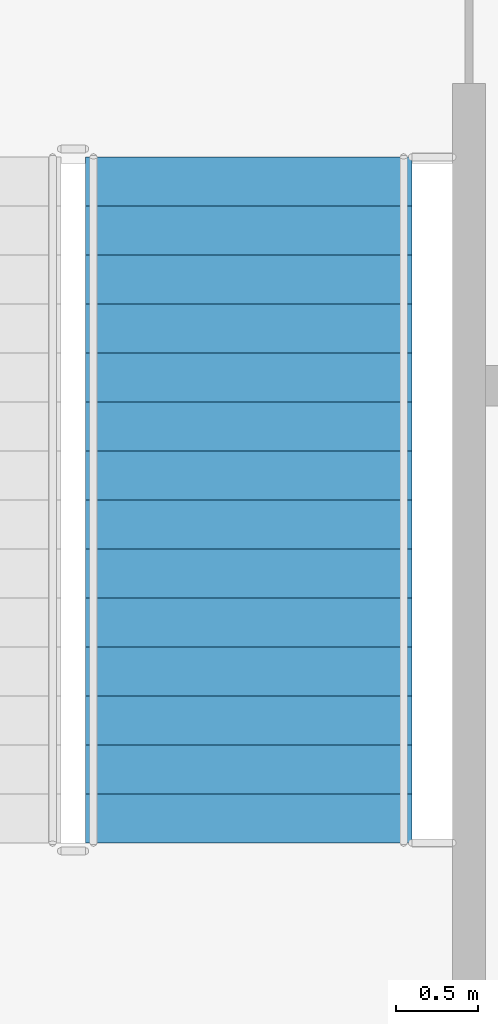
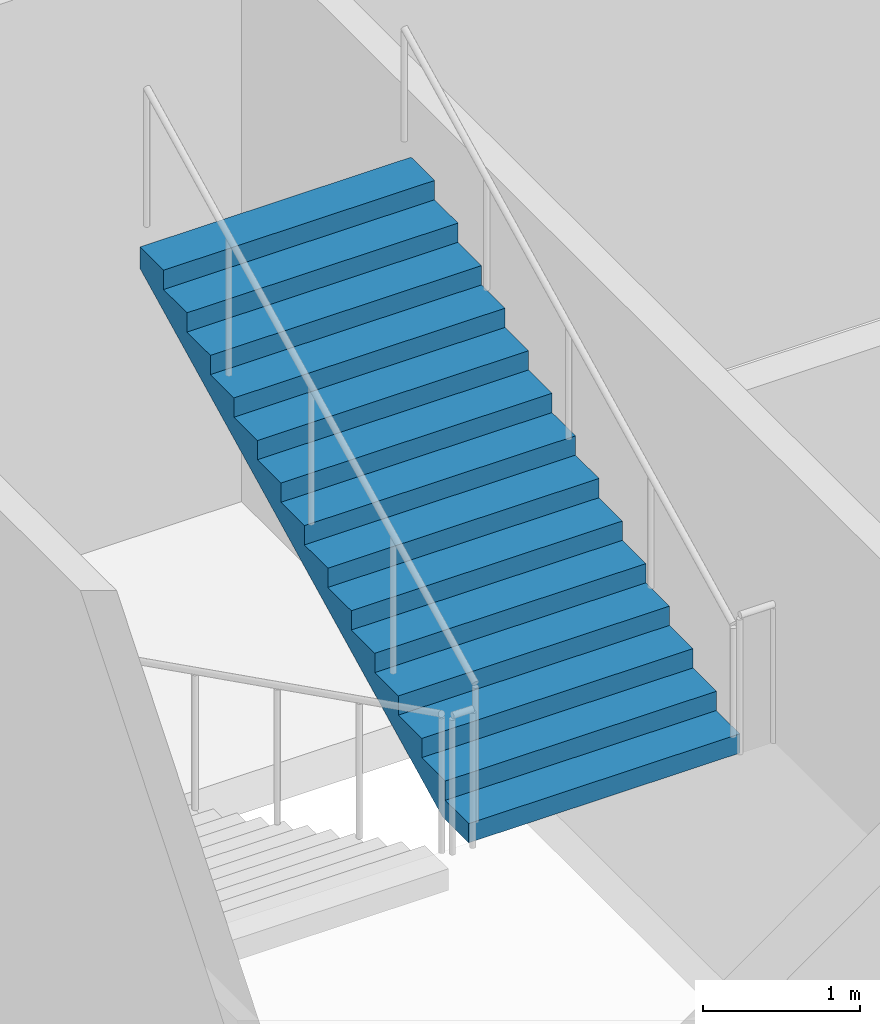
# One storey, part 87 of 95: 1 stair flight, 1 element without a shape of its own.
"""IFC4 building model written with IfcOpenShell, lengths in metres."""

from ifc_helpers import new_model, si_unit, direction, frame, origin, place, context, subcontext, project, spatial, faceted_brep, material, type_object, element, aggregate, save


model = new_model("IFC4")

# Units and contexts
model_context = context("Model", 3, precision=1e-05, world=origin(), true_north=direction((0.0, 1.0)))
body_context = subcontext(model_context, "Body", "Model", "MODEL_VIEW")
ifc_project = project(units=[si_unit("LENGTHUNIT", "METRE"), si_unit("AREAUNIT", "SQUARE_METRE"), si_unit("VOLUMEUNIT", "CUBIC_METRE"), si_unit("PLANEANGLEUNIT", "RADIAN"), si_unit("MASSUNIT", "GRAM", prefix="KILO")], contexts=[model_context])

# Site, building, storey
site_placement = place(None, origin())
site = spatial("IfcSite", under=ifc_project, at=site_placement, CompositionType="ELEMENT")
building_placement = place(site_placement, origin())
building = spatial("IfcBuilding", under=site, at=building_placement, Name="Kiln Court Media Centre", CompositionType="ELEMENT")
storey_placement = place(building_placement, frame((0.0, 0.0, 24.60009765625)))
storey = spatial("IfcBuildingStorey", under=building, at=storey_placement, Name="L05", CompositionType="ELEMENT", Elevation=24.60009765625)

# Stair, stair flight
ifc_material_1 = material(Name="Concrete C40/50", Category="concrete")
stair_type = type_object("IfcStairType", Name="Concrete C40/50 dog-leg stair 2000 wide, 150 riser", PredefinedType="HALF_TURN_STAIR", material=ifc_material_1)
stair_placement = place(storey_placement, origin())
stair = element("IfcStair", 1, at=stair_placement, inside=storey, type_object=stair_type, Name="ST-07 L05", PredefinedType="HALF_TURN_STAIR")
ifc_material_2 = material(Name="Concrete C40/50", Category="concrete")
stair_flight_type = type_object("IfcStairFlightType", Name="Concrete C40/50 stair flight 2000 wide, 150 riser, 300 going", PredefinedType="STRAIGHT", material=ifc_material_2)
stair_flight_placement = place(storey_placement, frame((3.35009765625, 60.199951171875, 2.25), z_axis=(0.0, 0.0, 1.0), x_axis=(0.0, 1.0, 0.0)))
stair_flight = element("IfcStairFlight", 2, at=stair_flight_placement, type_object=stair_flight_type, Name="L05-ST-5003 flight 5007", NumberOfRisers=15, NumberOfTreads=14, PredefinedType="STRAIGHT", RiserHeight=0.15, TreadLength=0.3, context=body_context, shape_type="Brep", body=[
    faceted_brep([(0.335205078125, -1.0, 0.0), (4.199951171875, -1.0, 1.932373046875), (4.199951171875, -1.0, 2.10009765625), (3.89990234375, -1.0, 2.10009765625), (3.89990234375, -1.0, 1.949951171875), (3.60009765625, -1.0, 1.949951171875), (3.60009765625, -1.0, 1.800048828125), (3.300048828125, -1.0, 1.800048828125), (3.300048828125, -1.0, 1.64990234375), (3.0, -1.0, 1.64990234375), (3.0, -1.0, 1.5), (2.699951171875, -1.0, 1.5), (2.699951171875, -1.0, 1.35009765625), (2.39990234375, -1.0, 1.35009765625), (2.39990234375, -1.0, 1.199951171875), (2.10009765625, -1.0, 1.199951171875), (2.10009765625, -1.0, 1.050048828125), (1.800048828125, -1.0, 1.050048828125), (1.800048828125, -1.0, 0.89990234375), (1.5, -1.0, 0.89990234375), (1.5, -1.0, 0.75), (1.199951171875, -1.0, 0.75), (1.199951171875, -1.0, 0.60009765625), (0.89990234375, -1.0, 0.60009765625), (0.89990234375, -1.0, 0.449951171875), (0.60009765625, -1.0, 0.449951171875), (0.60009765625, -1.0, 0.300048828125), (0.300048828125, -1.0, 0.300048828125), (0.300048828125, -1.0, 0.14990234375), (0.0, -1.0, 0.14990234375), (0.0, -1.0, 0.0), (0.0, 1.0, 0.0), (0.0, 1.0, 0.14990234375), (0.300048828125, 1.0, 0.14990234375), (0.300048828125, 1.0, 0.300048828125), (0.60009765625, 1.0, 0.300048828125), (0.60009765625, 1.0, 0.449951171875), (0.89990234375, 1.0, 0.449951171875), (0.89990234375, 1.0, 0.60009765625), (1.199951171875, 1.0, 0.60009765625), (1.199951171875, 1.0, 0.75), (1.5, 1.0, 0.75), (1.5, 1.0, 0.89990234375), (1.800048828125, 1.0, 0.89990234375), (1.800048828125, 1.0, 1.050048828125), (2.10009765625, 1.0, 1.050048828125), (2.10009765625, 1.0, 1.199951171875), (2.39990234375, 1.0, 1.199951171875), (2.39990234375, 1.0, 1.35009765625), (2.699951171875, 1.0, 1.35009765625), (2.699951171875, 1.0, 1.5), (3.0, 1.0, 1.5), (3.0, 1.0, 1.64990234375), (3.300048828125, 1.0, 1.64990234375), (3.300048828125, 1.0, 1.800048828125), (3.60009765625, 1.0, 1.800048828125), (3.60009765625, 1.0, 1.949951171875), (3.89990234375, 1.0, 1.949951171875), (3.89990234375, 1.0, 2.10009765625), (4.199951171875, 1.0, 2.10009765625), (4.199951171875, 1.0, 1.932373046875), (0.335205078125, 1.0, 0.0), (4.199951171875, 0.10009765625, 1.932373046875), (0.335205078125, 0.10009765625, 0.0), (4.199951171875, 0.080078125, 1.932373046875), (0.335205078125, 0.080078125, 0.0), (4.199951171875, 0.06005859375, 1.932373046875), (0.335205078125, 0.06005859375, 0.0), (4.199951171875, 0.0400390625, 1.932373046875), (0.335205078125, 0.0400390625, 0.0), (4.199951171875, 0.02001953125, 1.932373046875), (0.335205078125, 0.02001953125, 0.0), (4.199951171875, 0.0, 1.932373046875), (0.335205078125, 0.0, 0.0), (4.199951171875, -0.02001953125, 1.932373046875), (0.335205078125, -0.02001953125, 0.0), (4.199951171875, -0.0400390625, 1.932373046875), (0.335205078125, -0.0400390625, 0.0), (4.199951171875, -0.06005859375, 1.932373046875), (0.335205078125, -0.06005859375, 0.0), (4.199951171875, -0.080078125, 1.932373046875), (0.335205078125, -0.080078125, 0.0), (4.199951171875, -0.10009765625, 1.932373046875), (0.335205078125, -0.10009765625, 0.0), (4.199951171875, 0.10009765625, 2.10009765625), (4.199951171875, 0.080078125, 2.10009765625), (4.199951171875, 0.06005859375, 2.10009765625), (4.199951171875, 0.0400390625, 2.10009765625), (4.199951171875, 0.02001953125, 2.10009765625), (4.199951171875, 0.0, 2.10009765625), (4.199951171875, -0.02001953125, 2.10009765625), (4.199951171875, -0.0400390625, 2.10009765625), (4.199951171875, -0.06005859375, 2.10009765625), (4.199951171875, -0.080078125, 2.10009765625), (4.199951171875, -0.10009765625, 2.10009765625), (3.89990234375, 0.10009765625, 2.10009765625), (3.89990234375, 0.080078125, 2.10009765625), (3.89990234375, 0.06005859375, 2.10009765625), (3.89990234375, 0.0400390625, 2.10009765625), (3.89990234375, 0.02001953125, 2.10009765625), (3.89990234375, 0.0, 2.10009765625), (3.89990234375, -0.02001953125, 2.10009765625), (3.89990234375, -0.0400390625, 2.10009765625), (3.89990234375, -0.06005859375, 2.10009765625), (3.89990234375, -0.080078125, 2.10009765625), (3.89990234375, -0.10009765625, 2.10009765625), (3.89990234375, 0.10009765625, 1.949951171875), (3.89990234375, 0.080078125, 1.949951171875), (3.89990234375, 0.06005859375, 1.949951171875), (3.89990234375, 0.0400390625, 1.949951171875), (3.89990234375, 0.02001953125, 1.949951171875), (3.89990234375, 0.0, 1.949951171875), (3.89990234375, -0.02001953125, 1.949951171875), (3.89990234375, -0.0400390625, 1.949951171875), (3.89990234375, -0.06005859375, 1.949951171875), (3.89990234375, -0.080078125, 1.949951171875), (3.89990234375, -0.10009765625, 1.949951171875), (3.60009765625, 0.10009765625, 1.949951171875), (3.60009765625, 0.080078125, 1.949951171875), (3.60009765625, 0.06005859375, 1.949951171875), (3.60009765625, 0.0400390625, 1.949951171875), (3.60009765625, 0.02001953125, 1.949951171875), (3.60009765625, 0.0, 1.949951171875), (3.60009765625, -0.02001953125, 1.949951171875), (3.60009765625, -0.0400390625, 1.949951171875), (3.60009765625, -0.06005859375, 1.949951171875), (3.60009765625, -0.080078125, 1.949951171875), (3.60009765625, -0.10009765625, 1.949951171875), (3.60009765625, 0.10009765625, 1.800048828125), (3.60009765625, 0.080078125, 1.800048828125), (3.60009765625, 0.06005859375, 1.800048828125), (3.60009765625, 0.0400390625, 1.800048828125), (3.60009765625, 0.02001953125, 1.800048828125), (3.60009765625, 0.0, 1.800048828125), (3.60009765625, -0.02001953125, 1.800048828125), (3.60009765625, -0.0400390625, 1.800048828125), (3.60009765625, -0.06005859375, 1.800048828125), (3.60009765625, -0.080078125, 1.800048828125), (3.60009765625, -0.10009765625, 1.800048828125), (3.300048828125, 0.10009765625, 1.800048828125), (3.300048828125, 0.080078125, 1.800048828125), (3.300048828125, 0.06005859375, 1.800048828125), (3.300048828125, 0.0400390625, 1.800048828125), (3.300048828125, 0.02001953125, 1.800048828125), (3.300048828125, 0.0, 1.800048828125), (3.300048828125, -0.02001953125, 1.800048828125), (3.300048828125, -0.0400390625, 1.800048828125), (3.300048828125, -0.06005859375, 1.800048828125), (3.300048828125, -0.080078125, 1.800048828125), (3.300048828125, -0.10009765625, 1.800048828125), (3.300048828125, 0.10009765625, 1.64990234375), (3.300048828125, 0.080078125, 1.64990234375), (3.300048828125, 0.06005859375, 1.64990234375), (3.300048828125, 0.0400390625, 1.64990234375), (3.300048828125, 0.02001953125, 1.64990234375), (3.300048828125, 0.0, 1.64990234375), (3.300048828125, -0.02001953125, 1.64990234375), (3.300048828125, -0.0400390625, 1.64990234375), (3.300048828125, -0.06005859375, 1.64990234375), (3.300048828125, -0.080078125, 1.64990234375), (3.300048828125, -0.10009765625, 1.64990234375), (3.0, 0.10009765625, 1.64990234375), (3.0, 0.080078125, 1.64990234375), (3.0, 0.06005859375, 1.64990234375), (3.0, 0.0400390625, 1.64990234375), (3.0, 0.02001953125, 1.64990234375), (3.0, 0.0, 1.64990234375), (3.0, -0.02001953125, 1.64990234375), (3.0, -0.0400390625, 1.64990234375), (3.0, -0.06005859375, 1.64990234375), (3.0, -0.080078125, 1.64990234375), (3.0, -0.10009765625, 1.64990234375), (3.0, 0.10009765625, 1.5), (3.0, 0.080078125, 1.5), (3.0, 0.06005859375, 1.5), (3.0, 0.0400390625, 1.5), (3.0, 0.02001953125, 1.5), (3.0, 0.0, 1.5), (3.0, -0.02001953125, 1.5), (3.0, -0.0400390625, 1.5), (3.0, -0.06005859375, 1.5), (3.0, -0.080078125, 1.5), (3.0, -0.10009765625, 1.5), (2.699951171875, 0.10009765625, 1.5), (2.699951171875, 0.080078125, 1.5), (2.699951171875, 0.06005859375, 1.5), (2.699951171875, 0.0400390625, 1.5), (2.699951171875, 0.02001953125, 1.5), (2.699951171875, 0.0, 1.5), (2.699951171875, -0.02001953125, 1.5), (2.699951171875, -0.0400390625, 1.5), (2.699951171875, -0.06005859375, 1.5), (2.699951171875, -0.080078125, 1.5), (2.699951171875, -0.10009765625, 1.5), (2.699951171875, 0.10009765625, 1.35009765625), (2.699951171875, 0.080078125, 1.35009765625), (2.699951171875, 0.06005859375, 1.35009765625), (2.699951171875, 0.0400390625, 1.35009765625), (2.699951171875, 0.02001953125, 1.35009765625), (2.699951171875, 0.0, 1.35009765625), (2.699951171875, -0.02001953125, 1.35009765625), (2.699951171875, -0.0400390625, 1.35009765625), (2.699951171875, -0.06005859375, 1.35009765625), (2.699951171875, -0.080078125, 1.35009765625), (2.699951171875, -0.10009765625, 1.35009765625), (2.39990234375, 0.10009765625, 1.35009765625), (2.39990234375, 0.080078125, 1.35009765625), (2.39990234375, 0.06005859375, 1.35009765625), (2.39990234375, 0.0400390625, 1.35009765625), (2.39990234375, 0.02001953125, 1.35009765625), (2.39990234375, 0.0, 1.35009765625), (2.39990234375, -0.02001953125, 1.35009765625), (2.39990234375, -0.0400390625, 1.35009765625), (2.39990234375, -0.06005859375, 1.35009765625), (2.39990234375, -0.080078125, 1.35009765625), (2.39990234375, -0.10009765625, 1.35009765625), (2.39990234375, 0.10009765625, 1.199951171875), (2.39990234375, 0.080078125, 1.199951171875), (2.39990234375, 0.06005859375, 1.199951171875), (2.39990234375, 0.0400390625, 1.199951171875), (2.39990234375, 0.02001953125, 1.199951171875), (2.39990234375, 0.0, 1.199951171875), (2.39990234375, -0.02001953125, 1.199951171875), (2.39990234375, -0.0400390625, 1.199951171875), (2.39990234375, -0.06005859375, 1.199951171875), (2.39990234375, -0.080078125, 1.199951171875), (2.39990234375, -0.10009765625, 1.199951171875), (2.10009765625, 0.10009765625, 1.199951171875), (2.10009765625, 0.080078125, 1.199951171875), (2.10009765625, 0.06005859375, 1.199951171875), (2.10009765625, 0.0400390625, 1.199951171875), (2.10009765625, 0.02001953125, 1.199951171875), (2.10009765625, 0.0, 1.199951171875), (2.10009765625, -0.02001953125, 1.199951171875), (2.10009765625, -0.0400390625, 1.199951171875), (2.10009765625, -0.06005859375, 1.199951171875), (2.10009765625, -0.080078125, 1.199951171875), (2.10009765625, -0.10009765625, 1.199951171875), (2.10009765625, 0.10009765625, 1.050048828125), (2.10009765625, 0.080078125, 1.050048828125), (2.10009765625, 0.06005859375, 1.050048828125), (2.10009765625, 0.0400390625, 1.050048828125), (2.10009765625, 0.02001953125, 1.050048828125), (2.10009765625, 0.0, 1.050048828125), (2.10009765625, -0.02001953125, 1.050048828125), (2.10009765625, -0.0400390625, 1.050048828125), (2.10009765625, -0.06005859375, 1.050048828125), (2.10009765625, -0.080078125, 1.050048828125), (2.10009765625, -0.10009765625, 1.050048828125), (1.800048828125, 0.10009765625, 1.050048828125), (1.800048828125, 0.080078125, 1.050048828125), (1.800048828125, 0.06005859375, 1.050048828125), (1.800048828125, 0.0400390625, 1.050048828125), (1.800048828125, 0.02001953125, 1.050048828125), (1.800048828125, 0.0, 1.050048828125), (1.800048828125, -0.02001953125, 1.050048828125), (1.800048828125, -0.0400390625, 1.050048828125), (1.800048828125, -0.06005859375, 1.050048828125), (1.800048828125, -0.080078125, 1.050048828125), (1.800048828125, -0.10009765625, 1.050048828125), (1.800048828125, 0.10009765625, 0.89990234375), (1.800048828125, 0.080078125, 0.89990234375), (1.800048828125, 0.06005859375, 0.89990234375), (1.800048828125, 0.0400390625, 0.89990234375), (1.800048828125, 0.02001953125, 0.89990234375), (1.800048828125, 0.0, 0.89990234375), (1.800048828125, -0.02001953125, 0.89990234375), (1.800048828125, -0.0400390625, 0.89990234375), (1.800048828125, -0.06005859375, 0.89990234375), (1.800048828125, -0.080078125, 0.89990234375), (1.800048828125, -0.10009765625, 0.89990234375), (1.5, 0.10009765625, 0.89990234375), (1.5, 0.080078125, 0.89990234375), (1.5, 0.06005859375, 0.89990234375), (1.5, 0.0400390625, 0.89990234375), (1.5, 0.02001953125, 0.89990234375), (1.5, 0.0, 0.89990234375), (1.5, -0.02001953125, 0.89990234375), (1.5, -0.0400390625, 0.89990234375), (1.5, -0.06005859375, 0.89990234375), (1.5, -0.080078125, 0.89990234375), (1.5, -0.10009765625, 0.89990234375), (1.5, 0.10009765625, 0.75), (1.5, 0.080078125, 0.75), (1.5, 0.06005859375, 0.75), (1.5, 0.0400390625, 0.75), (1.5, 0.02001953125, 0.75), (1.5, 0.0, 0.75), (1.5, -0.02001953125, 0.75), (1.5, -0.0400390625, 0.75), (1.5, -0.06005859375, 0.75), (1.5, -0.080078125, 0.75), (1.5, -0.10009765625, 0.75), (1.199951171875, 0.10009765625, 0.75), (1.199951171875, 0.080078125, 0.75), (1.199951171875, 0.06005859375, 0.75), (1.199951171875, 0.0400390625, 0.75), (1.199951171875, 0.02001953125, 0.75), (1.199951171875, 0.0, 0.75), (1.199951171875, -0.02001953125, 0.75), (1.199951171875, -0.0400390625, 0.75), (1.199951171875, -0.06005859375, 0.75), (1.199951171875, -0.080078125, 0.75), (1.199951171875, -0.10009765625, 0.75), (1.199951171875, 0.10009765625, 0.60009765625), (1.199951171875, 0.080078125, 0.60009765625), (1.199951171875, 0.06005859375, 0.60009765625), (1.199951171875, 0.0400390625, 0.60009765625), (1.199951171875, 0.02001953125, 0.60009765625), (1.199951171875, 0.0, 0.60009765625), (1.199951171875, -0.02001953125, 0.60009765625), (1.199951171875, -0.0400390625, 0.60009765625), (1.199951171875, -0.06005859375, 0.60009765625), (1.199951171875, -0.080078125, 0.60009765625), (1.199951171875, -0.10009765625, 0.60009765625), (0.89990234375, 0.10009765625, 0.60009765625), (0.89990234375, 0.080078125, 0.60009765625), (0.89990234375, 0.06005859375, 0.60009765625), (0.89990234375, 0.0400390625, 0.60009765625), (0.89990234375, 0.02001953125, 0.60009765625), (0.89990234375, 0.0, 0.60009765625), (0.89990234375, -0.02001953125, 0.60009765625), (0.89990234375, -0.0400390625, 0.60009765625), (0.89990234375, -0.06005859375, 0.60009765625), (0.89990234375, -0.080078125, 0.60009765625), (0.89990234375, -0.10009765625, 0.60009765625), (0.89990234375, 0.10009765625, 0.449951171875), (0.89990234375, 0.080078125, 0.449951171875), (0.89990234375, 0.06005859375, 0.449951171875), (0.89990234375, 0.0400390625, 0.449951171875), (0.89990234375, 0.02001953125, 0.449951171875), (0.89990234375, 0.0, 0.449951171875), (0.89990234375, -0.02001953125, 0.449951171875), (0.89990234375, -0.0400390625, 0.449951171875), (0.89990234375, -0.06005859375, 0.449951171875), (0.89990234375, -0.080078125, 0.449951171875), (0.89990234375, -0.10009765625, 0.449951171875), (0.60009765625, 0.10009765625, 0.449951171875), (0.60009765625, 0.080078125, 0.449951171875), (0.60009765625, 0.06005859375, 0.449951171875), (0.60009765625, 0.0400390625, 0.449951171875), (0.60009765625, 0.02001953125, 0.449951171875), (0.60009765625, 0.0, 0.449951171875), (0.60009765625, -0.02001953125, 0.449951171875), (0.60009765625, -0.0400390625, 0.449951171875), (0.60009765625, -0.06005859375, 0.449951171875), (0.60009765625, -0.080078125, 0.449951171875), (0.60009765625, -0.10009765625, 0.449951171875), (0.60009765625, 0.10009765625, 0.300048828125), (0.60009765625, 0.080078125, 0.300048828125), (0.60009765625, 0.06005859375, 0.300048828125), (0.60009765625, 0.0400390625, 0.300048828125), (0.60009765625, 0.02001953125, 0.300048828125), (0.60009765625, 0.0, 0.300048828125), (0.60009765625, -0.02001953125, 0.300048828125), (0.60009765625, -0.0400390625, 0.300048828125), (0.60009765625, -0.06005859375, 0.300048828125), (0.60009765625, -0.080078125, 0.300048828125), (0.60009765625, -0.10009765625, 0.300048828125), (0.300048828125, 0.10009765625, 0.300048828125), (0.300048828125, 0.080078125, 0.300048828125), (0.300048828125, 0.06005859375, 0.300048828125), (0.300048828125, 0.0400390625, 0.300048828125), (0.300048828125, 0.02001953125, 0.300048828125), (0.300048828125, 0.0, 0.300048828125), (0.300048828125, -0.02001953125, 0.300048828125), (0.300048828125, -0.0400390625, 0.300048828125), (0.300048828125, -0.06005859375, 0.300048828125), (0.300048828125, -0.080078125, 0.300048828125), (0.300048828125, -0.10009765625, 0.300048828125), (0.300048828125, 0.10009765625, 0.14990234375), (0.300048828125, 0.080078125, 0.14990234375), (0.300048828125, 0.06005859375, 0.14990234375), (0.300048828125, 0.0400390625, 0.14990234375), (0.300048828125, 0.02001953125, 0.14990234375), (0.300048828125, 0.0, 0.14990234375), (0.300048828125, -0.02001953125, 0.14990234375), (0.300048828125, -0.0400390625, 0.14990234375), (0.300048828125, -0.06005859375, 0.14990234375), (0.300048828125, -0.080078125, 0.14990234375), (0.300048828125, -0.10009765625, 0.14990234375), (0.0, 0.10009765625, 0.14990234375), (0.0, 0.080078125, 0.14990234375), (0.0, 0.06005859375, 0.14990234375), (0.0, 0.0400390625, 0.14990234375), (0.0, 0.02001953125, 0.14990234375), (0.0, 0.0, 0.14990234375), (0.0, -0.02001953125, 0.14990234375), (0.0, -0.0400390625, 0.14990234375), (0.0, -0.06005859375, 0.14990234375), (0.0, -0.080078125, 0.14990234375), (0.0, -0.10009765625, 0.14990234375), (0.0, 0.10009765625, 0.0), (0.0, 0.080078125, 0.0), (0.0, 0.06005859375, 0.0), (0.0, 0.0400390625, 0.0), (0.0, 0.02001953125, 0.0), (0.0, 0.0, 0.0), (0.0, -0.02001953125, 0.0), (0.0, -0.0400390625, 0.0), (0.0, -0.06005859375, 0.0), (0.0, -0.080078125, 0.0), (0.0, -0.10009765625, 0.0)], [[[0, 1, 2, 3, 4, 5, 6, 7, 8, 9, 10, 11, 12, 13, 14, 15, 16, 17, 18, 19, 20, 21, 22, 23, 24, 25, 26, 27, 28, 29, 30]], [[31, 32, 33, 34, 35, 36, 37, 38, 39, 40, 41, 42, 43, 44, 45, 46, 47, 48, 49, 50, 51, 52, 53, 54, 55, 56, 57, 58, 59, 60, 61]], [[61, 60, 62, 63]], [[63, 62, 64, 65]], [[65, 64, 66, 67]], [[67, 66, 68, 69]], [[69, 68, 70, 71]], [[71, 70, 72, 73]], [[73, 72, 74, 75]], [[75, 74, 76, 77]], [[77, 76, 78, 79]], [[79, 78, 80, 81]], [[81, 80, 82, 83]], [[83, 82, 1, 0]], [[60, 59, 84, 62]], [[62, 84, 85, 64]], [[64, 85, 86, 66]], [[66, 86, 87, 68]], [[68, 87, 88, 70]], [[70, 88, 89, 72]], [[72, 89, 90, 74]], [[74, 90, 91, 76]], [[76, 91, 92, 78]], [[78, 92, 93, 80]], [[80, 93, 94, 82]], [[82, 94, 2, 1]], [[59, 58, 95, 84]], [[84, 95, 96, 85]], [[85, 96, 97, 86]], [[86, 97, 98, 87]], [[87, 98, 99, 88]], [[88, 99, 100, 89]], [[89, 100, 101, 90]], [[90, 101, 102, 91]], [[91, 102, 103, 92]], [[92, 103, 104, 93]], [[93, 104, 105, 94]], [[94, 105, 3, 2]], [[58, 57, 106, 95]], [[95, 106, 107, 96]], [[96, 107, 108, 97]], [[97, 108, 109, 98]], [[98, 109, 110, 99]], [[99, 110, 111, 100]], [[100, 111, 112, 101]], [[101, 112, 113, 102]], [[102, 113, 114, 103]], [[103, 114, 115, 104]], [[104, 115, 116, 105]], [[105, 116, 4, 3]], [[57, 56, 117, 106]], [[106, 117, 118, 107]], [[107, 118, 119, 108]], [[108, 119, 120, 109]], [[109, 120, 121, 110]], [[110, 121, 122, 111]], [[111, 122, 123, 112]], [[112, 123, 124, 113]], [[113, 124, 125, 114]], [[114, 125, 126, 115]], [[115, 126, 127, 116]], [[116, 127, 5, 4]], [[56, 55, 128, 117]], [[117, 128, 129, 118]], [[118, 129, 130, 119]], [[119, 130, 131, 120]], [[120, 131, 132, 121]], [[121, 132, 133, 122]], [[122, 133, 134, 123]], [[123, 134, 135, 124]], [[124, 135, 136, 125]], [[125, 136, 137, 126]], [[126, 137, 138, 127]], [[127, 138, 6, 5]], [[55, 54, 139, 128]], [[128, 139, 140, 129]], [[129, 140, 141, 130]], [[130, 141, 142, 131]], [[131, 142, 143, 132]], [[132, 143, 144, 133]], [[133, 144, 145, 134]], [[134, 145, 146, 135]], [[135, 146, 147, 136]], [[136, 147, 148, 137]], [[137, 148, 149, 138]], [[138, 149, 7, 6]], [[54, 53, 150, 139]], [[139, 150, 151, 140]], [[140, 151, 152, 141]], [[141, 152, 153, 142]], [[142, 153, 154, 143]], [[143, 154, 155, 144]], [[144, 155, 156, 145]], [[145, 156, 157, 146]], [[146, 157, 158, 147]], [[147, 158, 159, 148]], [[148, 159, 160, 149]], [[149, 160, 8, 7]], [[53, 52, 161, 150]], [[150, 161, 162, 151]], [[151, 162, 163, 152]], [[152, 163, 164, 153]], [[153, 164, 165, 154]], [[154, 165, 166, 155]], [[155, 166, 167, 156]], [[156, 167, 168, 157]], [[157, 168, 169, 158]], [[158, 169, 170, 159]], [[159, 170, 171, 160]], [[160, 171, 9, 8]], [[52, 51, 172, 161]], [[161, 172, 173, 162]], [[162, 173, 174, 163]], [[163, 174, 175, 164]], [[164, 175, 176, 165]], [[165, 176, 177, 166]], [[166, 177, 178, 167]], [[167, 178, 179, 168]], [[168, 179, 180, 169]], [[169, 180, 181, 170]], [[170, 181, 182, 171]], [[171, 182, 10, 9]], [[51, 50, 183, 172]], [[172, 183, 184, 173]], [[173, 184, 185, 174]], [[174, 185, 186, 175]], [[175, 186, 187, 176]], [[176, 187, 188, 177]], [[177, 188, 189, 178]], [[178, 189, 190, 179]], [[179, 190, 191, 180]], [[180, 191, 192, 181]], [[181, 192, 193, 182]], [[182, 193, 11, 10]], [[50, 49, 194, 183]], [[183, 194, 195, 184]], [[184, 195, 196, 185]], [[185, 196, 197, 186]], [[186, 197, 198, 187]], [[187, 198, 199, 188]], [[188, 199, 200, 189]], [[189, 200, 201, 190]], [[190, 201, 202, 191]], [[191, 202, 203, 192]], [[192, 203, 204, 193]], [[193, 204, 12, 11]], [[49, 48, 205, 194]], [[194, 205, 206, 195]], [[195, 206, 207, 196]], [[196, 207, 208, 197]], [[197, 208, 209, 198]], [[198, 209, 210, 199]], [[199, 210, 211, 200]], [[200, 211, 212, 201]], [[201, 212, 213, 202]], [[202, 213, 214, 203]], [[203, 214, 215, 204]], [[204, 215, 13, 12]], [[48, 47, 216, 205]], [[205, 216, 217, 206]], [[206, 217, 218, 207]], [[207, 218, 219, 208]], [[208, 219, 220, 209]], [[209, 220, 221, 210]], [[210, 221, 222, 211]], [[211, 222, 223, 212]], [[212, 223, 224, 213]], [[213, 224, 225, 214]], [[214, 225, 226, 215]], [[215, 226, 14, 13]], [[47, 46, 227, 216]], [[216, 227, 228, 217]], [[217, 228, 229, 218]], [[218, 229, 230, 219]], [[219, 230, 231, 220]], [[220, 231, 232, 221]], [[221, 232, 233, 222]], [[222, 233, 234, 223]], [[223, 234, 235, 224]], [[224, 235, 236, 225]], [[225, 236, 237, 226]], [[226, 237, 15, 14]], [[46, 45, 238, 227]], [[227, 238, 239, 228]], [[228, 239, 240, 229]], [[229, 240, 241, 230]], [[230, 241, 242, 231]], [[231, 242, 243, 232]], [[232, 243, 244, 233]], [[233, 244, 245, 234]], [[234, 245, 246, 235]], [[235, 246, 247, 236]], [[236, 247, 248, 237]], [[237, 248, 16, 15]], [[45, 44, 249, 238]], [[238, 249, 250, 239]], [[239, 250, 251, 240]], [[240, 251, 252, 241]], [[241, 252, 253, 242]], [[242, 253, 254, 243]], [[243, 254, 255, 244]], [[244, 255, 256, 245]], [[245, 256, 257, 246]], [[246, 257, 258, 247]], [[247, 258, 259, 248]], [[248, 259, 17, 16]], [[44, 43, 260, 249]], [[249, 260, 261, 250]], [[250, 261, 262, 251]], [[251, 262, 263, 252]], [[252, 263, 264, 253]], [[253, 264, 265, 254]], [[254, 265, 266, 255]], [[255, 266, 267, 256]], [[256, 267, 268, 257]], [[257, 268, 269, 258]], [[258, 269, 270, 259]], [[259, 270, 18, 17]], [[43, 42, 271, 260]], [[260, 271, 272, 261]], [[261, 272, 273, 262]], [[262, 273, 274, 263]], [[263, 274, 275, 264]], [[264, 275, 276, 265]], [[265, 276, 277, 266]], [[266, 277, 278, 267]], [[267, 278, 279, 268]], [[268, 279, 280, 269]], [[269, 280, 281, 270]], [[270, 281, 19, 18]], [[42, 41, 282, 271]], [[271, 282, 283, 272]], [[272, 283, 284, 273]], [[273, 284, 285, 274]], [[274, 285, 286, 275]], [[275, 286, 287, 276]], [[276, 287, 288, 277]], [[277, 288, 289, 278]], [[278, 289, 290, 279]], [[279, 290, 291, 280]], [[280, 291, 292, 281]], [[281, 292, 20, 19]], [[41, 40, 293, 282]], [[282, 293, 294, 283]], [[283, 294, 295, 284]], [[284, 295, 296, 285]], [[285, 296, 297, 286]], [[286, 297, 298, 287]], [[287, 298, 299, 288]], [[288, 299, 300, 289]], [[289, 300, 301, 290]], [[290, 301, 302, 291]], [[291, 302, 303, 292]], [[292, 303, 21, 20]], [[40, 39, 304, 293]], [[293, 304, 305, 294]], [[294, 305, 306, 295]], [[295, 306, 307, 296]], [[296, 307, 308, 297]], [[297, 308, 309, 298]], [[298, 309, 310, 299]], [[299, 310, 311, 300]], [[300, 311, 312, 301]], [[301, 312, 313, 302]], [[302, 313, 314, 303]], [[303, 314, 22, 21]], [[39, 38, 315, 304]], [[304, 315, 316, 305]], [[305, 316, 317, 306]], [[306, 317, 318, 307]], [[307, 318, 319, 308]], [[308, 319, 320, 309]], [[309, 320, 321, 310]], [[310, 321, 322, 311]], [[311, 322, 323, 312]], [[312, 323, 324, 313]], [[313, 324, 325, 314]], [[314, 325, 23, 22]], [[38, 37, 326, 315]], [[315, 326, 327, 316]], [[316, 327, 328, 317]], [[317, 328, 329, 318]], [[318, 329, 330, 319]], [[319, 330, 331, 320]], [[320, 331, 332, 321]], [[321, 332, 333, 322]], [[322, 333, 334, 323]], [[323, 334, 335, 324]], [[324, 335, 336, 325]], [[325, 336, 24, 23]], [[37, 36, 337, 326]], [[326, 337, 338, 327]], [[327, 338, 339, 328]], [[328, 339, 340, 329]], [[329, 340, 341, 330]], [[330, 341, 342, 331]], [[331, 342, 343, 332]], [[332, 343, 344, 333]], [[333, 344, 345, 334]], [[334, 345, 346, 335]], [[335, 346, 347, 336]], [[336, 347, 25, 24]], [[36, 35, 348, 337]], [[337, 348, 349, 338]], [[338, 349, 350, 339]], [[339, 350, 351, 340]], [[340, 351, 352, 341]], [[341, 352, 353, 342]], [[342, 353, 354, 343]], [[343, 354, 355, 344]], [[344, 355, 356, 345]], [[345, 356, 357, 346]], [[346, 357, 358, 347]], [[347, 358, 26, 25]], [[35, 34, 359, 348]], [[348, 359, 360, 349]], [[349, 360, 361, 350]], [[350, 361, 362, 351]], [[351, 362, 363, 352]], [[352, 363, 364, 353]], [[353, 364, 365, 354]], [[354, 365, 366, 355]], [[355, 366, 367, 356]], [[356, 367, 368, 357]], [[357, 368, 369, 358]], [[358, 369, 27, 26]], [[34, 33, 370, 359]], [[359, 370, 371, 360]], [[360, 371, 372, 361]], [[361, 372, 373, 362]], [[362, 373, 374, 363]], [[363, 374, 375, 364]], [[364, 375, 376, 365]], [[365, 376, 377, 366]], [[366, 377, 378, 367]], [[367, 378, 379, 368]], [[368, 379, 380, 369]], [[369, 380, 28, 27]], [[33, 32, 381, 370]], [[370, 381, 382, 371]], [[371, 382, 383, 372]], [[372, 383, 384, 373]], [[373, 384, 385, 374]], [[374, 385, 386, 375]], [[375, 386, 387, 376]], [[376, 387, 388, 377]], [[377, 388, 389, 378]], [[378, 389, 390, 379]], [[379, 390, 391, 380]], [[380, 391, 29, 28]], [[32, 31, 392, 381]], [[381, 392, 393, 382]], [[382, 393, 394, 383]], [[383, 394, 395, 384]], [[384, 395, 396, 385]], [[385, 396, 397, 386]], [[386, 397, 398, 387]], [[387, 398, 399, 388]], [[388, 399, 400, 389]], [[389, 400, 401, 390]], [[390, 401, 402, 391]], [[391, 402, 30, 29]], [[31, 61, 63, 392]], [[392, 63, 65, 393]], [[393, 65, 67, 394]], [[394, 67, 69, 395]], [[395, 69, 71, 396]], [[396, 71, 73, 397]], [[397, 73, 75, 398]], [[398, 75, 77, 399]], [[399, 77, 79, 400]], [[400, 79, 81, 401]], [[401, 81, 83, 402]], [[402, 83, 0, 30]]]),
])
aggregate(stair, [stair_flight])

save(model, "model.ifc")
